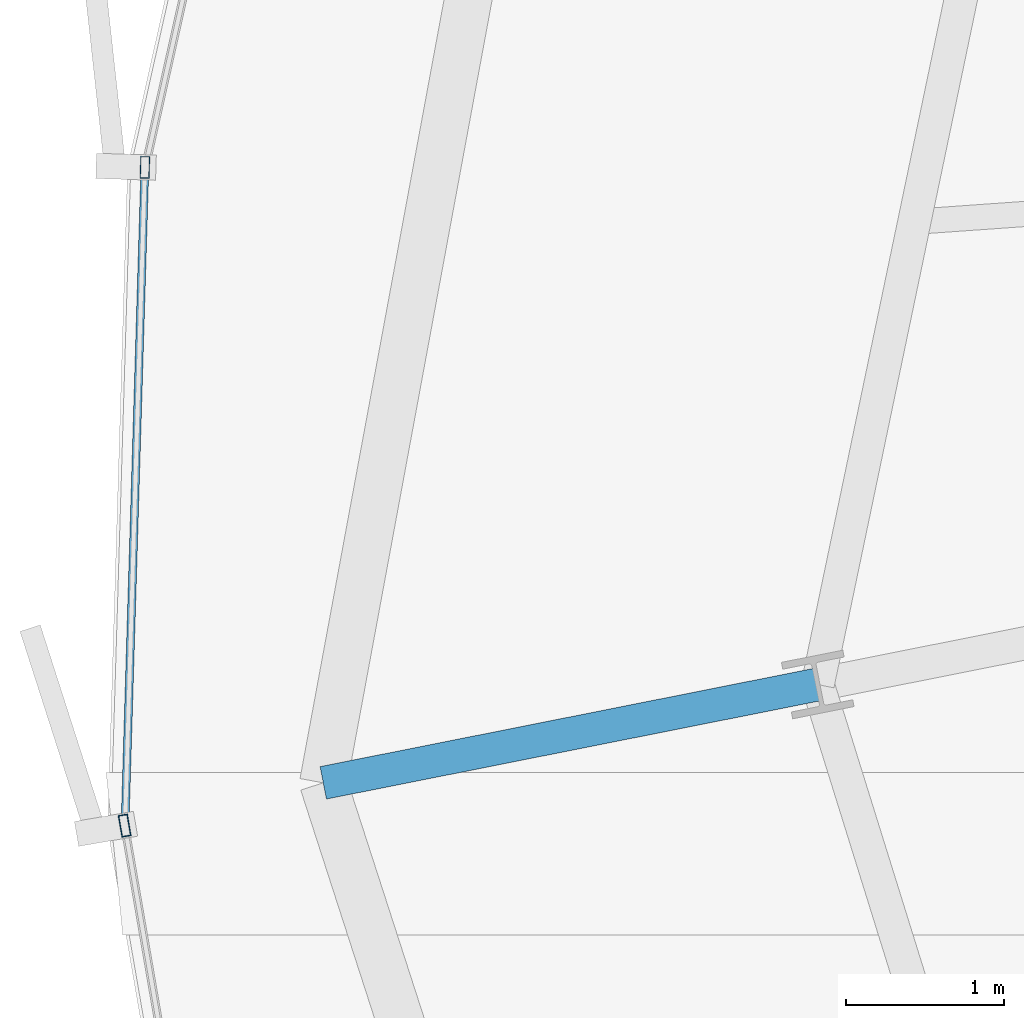
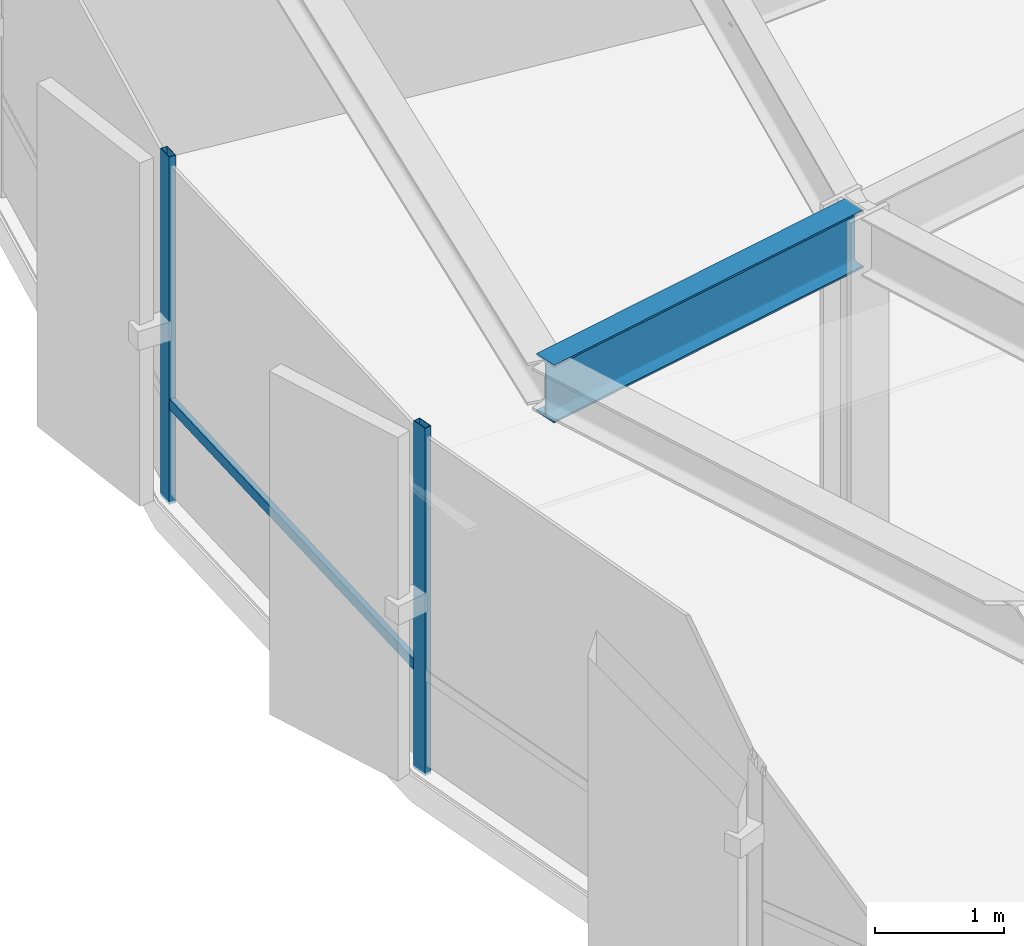
# One storey, part 8 of 35: 3 members, 1 beam, 1 element without a shape of its own.
"""IFC4 building model written with IfcOpenShell, lengths in metres."""

from ifc_helpers import new_model, si_unit, direction, frame, origin, origin_2d, place, context, subcontext, project, spatial, hollow_rectangle, i_section, extrude, source, transform, mapped, material, layer, layer_set, material_profile, profile_set, type_object, element, aggregate, save


model = new_model("IFC4")

# Units and contexts
model_context = context("Model", 3, precision=1e-05, world=origin(), true_north=direction((0.0, 1.0)))
body_context = subcontext(model_context, "Body", "Model", "MODEL_VIEW")
ifc_project = project(units=[si_unit("LENGTHUNIT", "METRE"), si_unit("AREAUNIT", "SQUARE_METRE"), si_unit("VOLUMEUNIT", "CUBIC_METRE"), si_unit("PLANEANGLEUNIT", "RADIAN"), si_unit("MASSUNIT", "GRAM", prefix="KILO"), si_unit("THERMODYNAMICTEMPERATUREUNIT", "KELVIN")], contexts=[model_context])

# Site, building, storey
site_placement = place(None, origin())
site = spatial("IfcSite", under=ifc_project, at=site_placement, CompositionType="ELEMENT")
building_placement = place(site_placement, origin())
building = spatial("IfcBuilding", under=site, at=building_placement, Name="Kethvar Cultural Tower", CompositionType="ELEMENT")
storey_placement = place(building_placement, frame((0.0, 0.0, 146.550048828125)))
storey = spatial("IfcBuildingStorey", under=building, at=storey_placement, Name="L37", CompositionType="ELEMENT", Elevation=146.550048828125)

# Beam
ifc_material_1 = material(Name="Steel S355J2", Category="steel")
ifc_material_profile_1 = material_profile(ifc_material_1, i_section(OverallWidth=0.2099609375, OverallDepth=0.550048828125, WebThickness=0.010986328125, FlangeThickness=0.01708984375, FilletRadius=0.02392578125, at=origin_2d()), Name="Steel S355J2 — IPE550")
ifc_profile_set_1 = profile_set([ifc_material_profile_1], Name="Steel S355J2 — IPE550")
beam_type = type_object("IfcBeamType", Name="BM-IPE550", PredefinedType="BEAM", material=ifc_profile_set_1)
shared_shape_1 = source(origin(), body_context, "Body", "SweptSolid", [
    extrude(i_section(OverallWidth=0.2099609375, OverallDepth=0.550048828125, WebThickness=0.010986328125, FlangeThickness=0.01708984375, FilletRadius=0.02392578125, at=origin_2d()), origin(), (0.0, 0.0, 1.0), 3.199951171875),
])
beam_placement = place(storey_placement, frame((24.185302734375, 23.3017578125, 3.02294921875), z_axis=(-0.980785550224, -0.195088965533, 0.0), x_axis=(0.195088965533, -0.980785550224, 0.0)))
element("IfcBeam", 1, at=beam_placement, inside=storey, type_object=beam_type, Name="L37 Perimeter Cantilever Beam RC-09", PredefinedType="BEAM", context=body_context, shape_type="MappedRepresentation", body=[
    mapped(shared_shape_1, transform((0.0, 0.0, 0.0), scale=1.0)),
])

# Curtain wall, members
ifc_material_2 = material(Name="Aluminium 6063-T6", Category="aluminium")
ifc_layer = layer(ifc_material_2, 0.179931640625, Name="Aluminium 6063-T6", Category="aluminium")
ifc_layer_set = layer_set([ifc_layer], Name="Aluminium 6063-T6 (180 mm)")
curtain_wall_type = type_object("IfcCurtainWallType", Name="CW-SYS-04-Z34", PredefinedType="NOTDEFINED", material=ifc_layer_set)
curtain_wall_placement = place(storey_placement, origin())
curtain_wall = element("IfcCurtainWall", 2, at=curtain_wall_placement, inside=storey, type_object=curtain_wall_type, Name="L37 Curtain Wall Run 03", PredefinedType="NOTDEFINED")
ifc_material_profile_2 = material_profile(ifc_material_2, hollow_rectangle(XDim=0.06005859375, YDim=0.139892578125, WallThickness=0.0048828125, at=origin_2d()), Name="Aluminium 6063-T6 — RHS140x60x5")
ifc_profile_set_2 = profile_set([ifc_material_profile_2], Name="Aluminium 6063-T6 — RHS140x60x5")
member_type_1 = type_object("IfcMemberType", Name="CW-SYS-04-Z34-MUL", PredefinedType="MULLION", material=ifc_profile_set_2)
shared_shape_2 = source(origin(), body_context, "Body", "SweptSolid", [
    extrude(hollow_rectangle(XDim=0.06005859375, YDim=0.139892578125, WallThickness=0.0048828125, at=origin_2d()), origin(), (0.0, 0.0, 1.0), 3.300048828125),
])
member_1_placement = place(storey_placement, frame((19.914794921875, 26.583984375, 0.0), z_axis=(0.0, 0.0, 1.0), x_axis=(0.999543135468, -0.030224498969, 0.0)))
member_1 = element("IfcMember", 3, at=member_1_placement, type_object=member_type_1, Name="CW-L37-R03 Mullion 4", PredefinedType="MULLION", context=body_context, shape_type="MappedRepresentation", body=[
    mapped(shared_shape_2, transform((0.0, 0.0, 0.0), scale=1.0)),
])
member_2_placement = place(storey_placement, frame((19.7861328125, 22.406005859375, 0.0), z_axis=(0.0, 0.0, 1.0), x_axis=(0.98541086905, 0.170192300528, 0.0)))
member_2 = element("IfcMember", 4, at=member_2_placement, type_object=member_type_1, Name="CW-L37-R03 Mullion 5", PredefinedType="MULLION", context=body_context, shape_type="MappedRepresentation", body=[
    mapped(shared_shape_2, transform((0.0, 0.0, 0.0), scale=1.0)),
])
ifc_material_profile_3 = material_profile(ifc_material_2, hollow_rectangle(XDim=0.050048828125, YDim=0.10009765625, WallThickness=0.00390625, at=origin_2d()), Name="Aluminium 6063-T6 — RHS100x50x4")
ifc_profile_set_3 = profile_set([ifc_material_profile_3], Name="Aluminium 6063-T6 — RHS100x50x4")
member_type_2 = type_object("IfcMemberType", Name="CW-SYS-04-Z34-TRN", PredefinedType="USERDEFINED", material=ifc_profile_set_3)
shared_shape_3 = source(origin(), body_context, "Body", "SweptSolid", [
    extrude(hollow_rectangle(XDim=0.050048828125, YDim=0.10009765625, WallThickness=0.00390625, at=origin_2d()), origin(), (0.0, 0.0, 1.0), 4.115966796875),
])
member_3_placement = place(storey_placement, frame((19.913330078125, 26.541015625, 0.949951171875), z_axis=(-0.030192152012, -0.999544113062, 0.0), x_axis=(0.999544113062, -0.030192152012, 0.0)))
member_3 = element("IfcMember", 5, at=member_3_placement, type_object=member_type_2, Name="CW-L37-R03 Transom 4", ObjectType="TRANSOM", PredefinedType="USERDEFINED", context=body_context, shape_type="MappedRepresentation", body=[
    mapped(shared_shape_3, transform((0.0, 0.0, 0.0), scale=1.0)),
])
aggregate(curtain_wall, [member_1, member_2, member_3])

save(model, "model.ifc")
